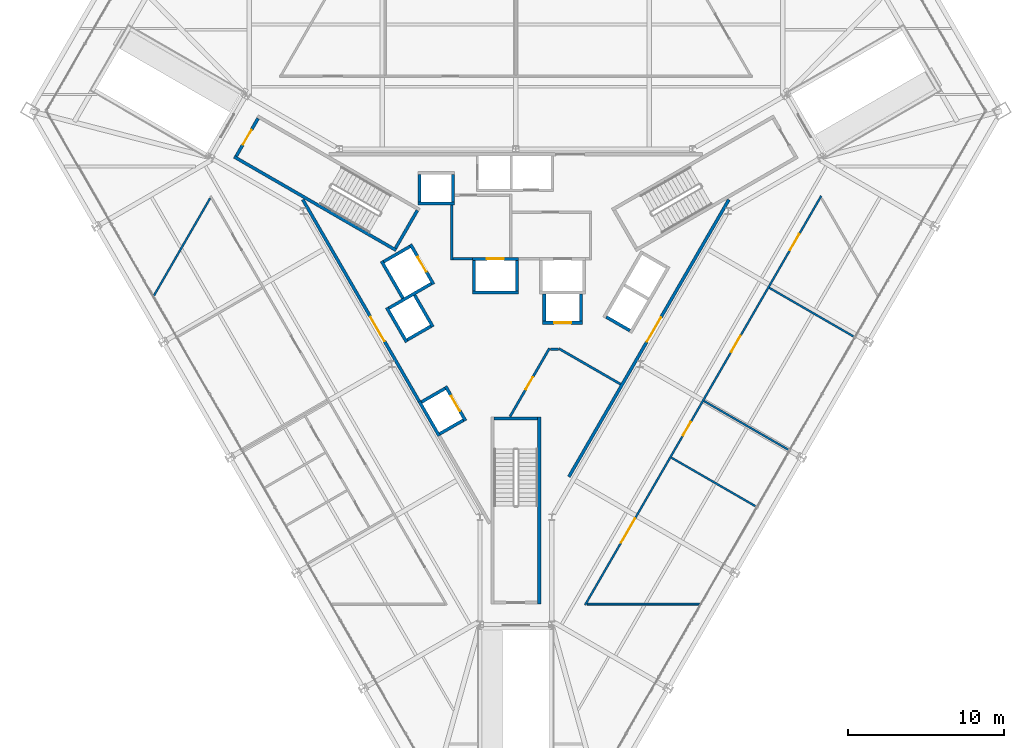
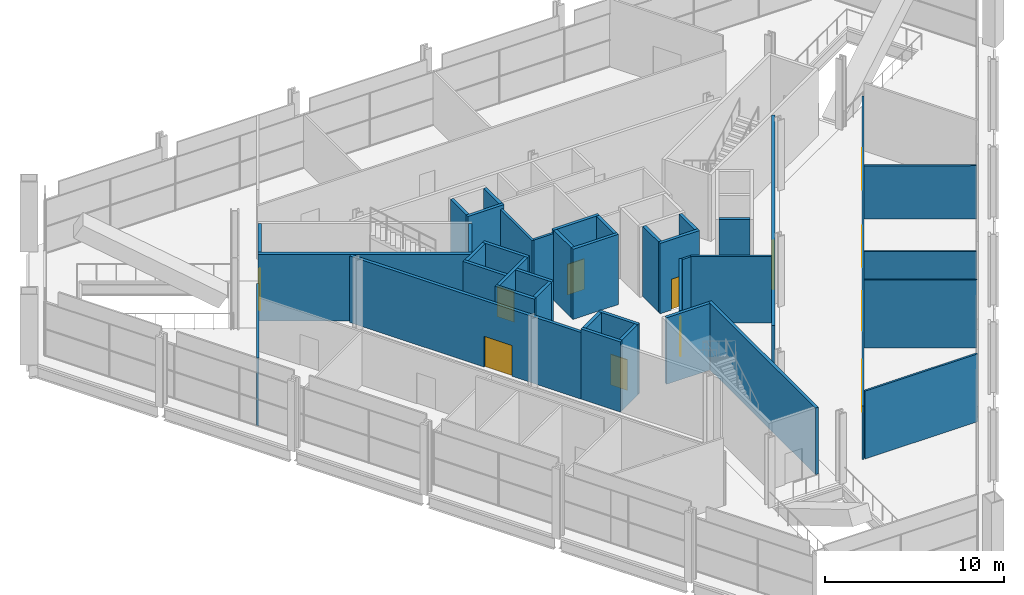
# One storey, part 13 of 18: 40 walls, 12 doors, 12 openings.
"""IFC4 building model written with IfcOpenShell, lengths in metres."""

from ifc_helpers import new_model, si_unit, direction, frame, frame_2d, origin, place, context, subcontext, project, spatial, rectangle, extrude, material, layer, layer_set, type_object, element, fill, save


model = new_model("IFC4")

# Units and contexts
model_context = context("Model", 3, precision=1e-05, world=origin(), true_north=direction((0.0, 1.0)))
body_context = subcontext(model_context, "Body", "Model", "MODEL_VIEW")
ifc_project = project(units=[si_unit("LENGTHUNIT", "METRE"), si_unit("AREAUNIT", "SQUARE_METRE"), si_unit("VOLUMEUNIT", "CUBIC_METRE"), si_unit("PLANEANGLEUNIT", "RADIAN"), si_unit("MASSUNIT", "GRAM", prefix="KILO")], contexts=[model_context])

# Site, building, storey
site_placement = place(None, origin())
site = spatial("IfcSite", under=ifc_project, at=site_placement, CompositionType="ELEMENT")
building_placement = place(site_placement, origin())
building = spatial("IfcBuilding", under=site, at=building_placement, Name="Verrane Prism Tower", CompositionType="ELEMENT")
storey_placement = place(building_placement, frame((0.0, 0.0, 22.39990234375)))
storey = spatial("IfcBuildingStorey", under=building, at=storey_placement, Name="L03", CompositionType="ELEMENT", Elevation=22.39990234375)

# Walls
ifc_material_1 = material(Name="Gypsum board partition", Category="other")
ifc_layer_1 = layer(ifc_material_1, 0.125)
ifc_layer_set_1 = layer_set([ifc_layer_1], Name="BW-125 demising wall 1 h")
wall_type_1 = type_object("IfcWallType", Name="BW-125 demising wall 1 h", PredefinedType="PARTITIONING", material=ifc_layer_set_1)
wall_1_placement = place(storey_placement, frame((9.974365234375, -10.5986328125, 0.0), z_axis=(0.0, 0.0, 1.0), x_axis=(0.866044997331, -0.499966061446, 0.0)))
element("IfcWall", 1, at=wall_1_placement, inside=storey, type_object=wall_type_1, Name="Demising wall 016", PredefinedType="PARTITIONING", context=body_context, shape_type="SweptSolid", body=[
    extrude(rectangle(XDim=6.3330078125, YDim=0.125, at=frame_2d((3.16650390625, 0.0))), origin(), (0.0, 0.0, 1.0), 4.64013671875),
])
wall_2_placement = place(storey_placement, frame((12.066162109375, -6.96630859375, 0.0), z_axis=(0.0, 0.0, 1.0), x_axis=(0.866003371142, -0.500038159714, 0.0)))
element("IfcWall", 2, at=wall_2_placement, inside=storey, type_object=wall_type_1, Name="Demising wall 018", PredefinedType="PARTITIONING", context=body_context, shape_type="SweptSolid", body=[
    extrude(rectangle(XDim=6.3369140625, YDim=0.125, at=frame_2d((3.16845703125, 0.0))), origin(), (0.0, 0.0, 1.0), 3.653076171875),
])
wall_3_placement = place(storey_placement, frame((16.257080078125, 0.292724609375, 0.0), z_axis=(0.0, 0.0, 1.0), x_axis=(0.866118237319, -0.499839173118, 0.0)))
element("IfcWall", 3, at=wall_3_placement, inside=storey, type_object=wall_type_1, Name="Demising wall 019", PredefinedType="PARTITIONING", context=body_context, shape_type="SweptSolid", body=[
    extrude(rectangle(XDim=6.33740234375, YDim=0.125, at=frame_2d((3.168701171875, 0.0))), origin(), (0.0, 0.0, 1.0), 3.653076171875),
])
ifc_material_2 = material(Name="Gypsum board partition", Category="other")
ifc_layer_2 = layer(ifc_material_2, 0.125)
ifc_layer_set_2 = layer_set([ifc_layer_2], Name="BW-125 shopfront wall 1 h")
wall_type_2 = type_object("IfcWallType", Name="BW-125 shopfront wall 1 h", PredefinedType="PARTITIONING", material=ifc_layer_set_2)
wall_4_placement = place(storey_placement, frame((-23.25, -0.27001953125, 0.0), z_axis=(0.0, 0.0, 1.0), x_axis=(0.500002873931, 0.866023744513, 0.0)))
element("IfcWall", 4, at=wall_4_placement, inside=storey, type_object=wall_type_2, Name="Shopfront wall 001", PredefinedType="PARTITIONING", context=body_context, shape_type="SweptSolid", body=[
    extrude(rectangle(XDim=7.28515625, YDim=0.125, at=frame_2d((3.642578125, 0.0))), origin(), (0.0, 0.0, 1.0), 4.64013671875),
])
wall_5_placement = place(storey_placement, frame((4.573974609375, -20.0, 0.0), z_axis=(0.0, 0.0, 1.0), x_axis=(1.0, 0.0, 0.0)))
element("IfcWall", 5, at=wall_5_placement, inside=storey, type_object=wall_type_2, Name="Shopfront wall 014", PredefinedType="PARTITIONING", context=body_context, shape_type="SweptSolid", body=[
    extrude(rectangle(XDim=7.284912109375, YDim=0.125, at=frame_2d((3.642578125, 0.0))), origin(), (0.0, 0.0, 1.0), 4.64013671875),
])

# Wall, openings, doors
wall_6_placement = place(storey_placement, frame((19.586181640625, 6.18408203125, 0.0), z_axis=(0.0, 0.0, 1.0), x_axis=(-0.499994028088, -0.866028851642, 0.0)))
wall_6 = element("IfcWall", 6, at=wall_6_placement, inside=storey, type_object=wall_type_2, Name="Shopfront wall 015", PredefinedType="PARTITIONING", context=body_context, shape_type="SweptSolid", body=[
    extrude(rectangle(XDim=30.297119140625, YDim=0.125, at=frame_2d((15.1484375, 0.0))), origin(), (0.0, 0.0, 1.0), 3.653076171875),
])
opening_1_placement = place(wall_6_placement, frame((23.884765625, 0.0, 0.0)))
opening_1 = element("IfcOpeningElement", 7, at=opening_1_placement, cuts=wall_6, Name="Opening D03011", PredefinedType="OPENING", context=body_context, shape_type="SweptSolid", body=[
    extrude(rectangle(XDim=1.800048828125, YDim=2.39990234375, at=frame_2d((0.89990234375, 1.199951171875))), frame((0.0, 0.072509765625, 0.0), z_axis=(0.0, -1.0, 0.0), x_axis=(1.0, 0.0, 0.0)), (0.0, 0.0, 1.0), 0.14501953125),
])
opening_2_placement = place(wall_6_placement, frame((16.74072265625, 0.0, 0.0)))
opening_2 = element("IfcOpeningElement", 8, at=opening_2_placement, cuts=wall_6, Name="Opening D03012", PredefinedType="OPENING", context=body_context, shape_type="SweptSolid", body=[
    extrude(rectangle(XDim=1.0, YDim=2.10009765625, at=frame_2d((0.5, 1.050048828125))), frame((0.0, 0.072509765625, 0.0), z_axis=(0.0, -1.0, 0.0), x_axis=(1.0, 0.0, 0.0)), (0.0, 0.0, 1.0), 0.14501953125),
])
opening_3_placement = place(wall_6_placement, frame((10.3486328125, 0.0, 0.0)))
opening_3 = element("IfcOpeningElement", 9, at=opening_3_placement, cuts=wall_6, Name="Opening D03013", PredefinedType="OPENING", context=body_context, shape_type="SweptSolid", body=[
    extrude(rectangle(XDim=1.199951171875, YDim=2.10009765625, at=frame_2d((0.60009765625, 1.050048828125))), frame((0.0, 0.072509765625, 0.0), z_axis=(0.0, -1.0, 0.0), x_axis=(1.0, 0.0, 0.0)), (0.0, 0.0, 1.0), 0.14501953125),
])
opening_4_placement = place(wall_6_placement, frame((2.816650390625, 0.0, 0.0)))
opening_4 = element("IfcOpeningElement", 10, at=opening_4_placement, cuts=wall_6, Name="Opening D03014", PredefinedType="OPENING", context=body_context, shape_type="SweptSolid", body=[
    extrude(rectangle(XDim=1.199951171875, YDim=2.10009765625, at=frame_2d((0.60009765625, 1.050048828125))), frame((0.0, 0.072509765625, 0.0), z_axis=(0.0, -1.0, 0.0), x_axis=(1.0, 0.0, 0.0)), (0.0, 0.0, 1.0), 0.14501953125),
])
ifc_material_3 = material(Name="Timber veneered door leaf", Category="wood")
door_type_1 = type_object("IfcDoorType", Name="DR-1000x2100 FD20 single leaf shopfront", OperationType="NOTDEFINED", PredefinedType="DOOR", material=ifc_material_3)
door_1_placement = place(opening_2_placement, origin())
door_1 = element("IfcDoor", 11, at=door_1_placement, inside=storey, type_object=door_type_1, Name="Door Store Room 0308", OperationType="SINGLE_SWING_LEFT", OverallHeight=2.10009765625, OverallWidth=1.0, PredefinedType="DOOR", context=body_context, shape_type="SweptSolid", body=[
    extrude(rectangle(XDim=1.0, YDim=2.10009765625, at=frame_2d((0.5, 1.050048828125))), frame((0.0, 0.02490234375, 0.0), z_axis=(0.0, -1.0, 0.0), x_axis=(1.0, 0.0, 0.0)), (0.0, 0.0, 1.0), 0.050048828125),
])
fill(opening_2, door_1)
ifc_material_4 = material(Name="Timber veneered door leaf", Category="wood")
door_type_2 = type_object("IfcDoorType", Name="DR-1200x2100 FD20 single leaf shopfront", OperationType="NOTDEFINED", PredefinedType="DOOR", material=ifc_material_4)
door_2_placement = place(opening_3_placement, origin())
door_2 = element("IfcDoor", 12, at=door_2_placement, inside=storey, type_object=door_type_2, Name="Door Shop 0309", OperationType="SINGLE_SWING_RIGHT", OverallHeight=2.10009765625, OverallWidth=1.199951171875, PredefinedType="DOOR", context=body_context, shape_type="SweptSolid", body=[
    extrude(rectangle(XDim=1.199951171875, YDim=2.10009765625, at=frame_2d((0.60009765625, 1.050048828125))), frame((0.0, 0.02490234375, 0.0), z_axis=(0.0, -1.0, 0.0), x_axis=(1.0, 0.0, 0.0)), (0.0, 0.0, 1.0), 0.050048828125),
])
fill(opening_3, door_2)
door_3_placement = place(opening_4_placement, origin())
door_3 = element("IfcDoor", 13, at=door_3_placement, inside=storey, type_object=door_type_2, Name="Door Shop 0310", OperationType="SINGLE_SWING_LEFT", OverallHeight=2.10009765625, OverallWidth=1.199951171875, PredefinedType="DOOR", context=body_context, shape_type="SweptSolid", body=[
    extrude(rectangle(XDim=1.199951171875, YDim=2.10009765625, at=frame_2d((0.60009765625, 1.050048828125))), frame((0.0, 0.02490234375, 0.0), z_axis=(0.0, -1.0, 0.0), x_axis=(1.0, 0.0, 0.0)), (0.0, 0.0, 1.0), 0.050048828125),
])
fill(opening_4, door_3)
ifc_material_5 = material(Name="Aluminium and glass door leaf", Category="aluminium")
door_type_3 = type_object("IfcDoorType", Name="DR-1800x2400 FD20 double leaf shopfront", OperationType="NOTDEFINED", PredefinedType="DOOR", material=ifc_material_5)
door_4_placement = place(opening_1_placement, origin())
door_4 = element("IfcDoor", 14, at=door_4_placement, inside=storey, type_object=door_type_3, Name="Door Flagship Store 0307", OperationType="DOUBLE_DOOR_SINGLE_SWING", OverallHeight=2.39990234375, OverallWidth=1.800048828125, PredefinedType="DOOR", context=body_context, shape_type="SweptSolid", body=[
    extrude(rectangle(XDim=1.800048828125, YDim=2.39990234375, at=frame_2d((0.89990234375, 1.199951171875))), frame((0.0, 0.02490234375, 0.0), z_axis=(0.0, -1.0, 0.0), x_axis=(1.0, 0.0, 0.0)), (0.0, 0.0, 1.0), 0.050048828125),
])
fill(opening_1, door_4)

# Wall, opening, door
ifc_material_6 = material(Name="Gypsum board partition", Category="other")
ifc_layer_3 = layer(ifc_material_6, 0.199951171875)
ifc_layer_set_3 = layer_set([ifc_layer_3], Name="CW-200 core boundary wall 2 h")
wall_type_3 = type_object("IfcWallType", Name="CW-200 core boundary wall 2 h", PredefinedType="PARTITIONING", material=ifc_layer_set_3)
wall_7_placement = place(storey_placement, frame((-13.666015625, 5.950439453125, 0.0), z_axis=(0.0, 0.0, 1.0), x_axis=(0.499971736997, -0.866041720822, 0.0)))
wall_7 = element("IfcWall", 15, at=wall_7_placement, inside=storey, type_object=wall_type_3, Name="Core boundary wall CW3-001", PredefinedType="PARTITIONING", context=body_context, shape_type="SweptSolid", body=[
    extrude(rectangle(XDim=14.948974609375, YDim=0.199951171875, at=frame_2d((7.474609375, 0.0))), origin(), (0.0, 0.0, 1.0), 4.550048828125),
])
opening_5_placement = place(wall_7_placement, frame((8.68994140625, 0.0, 0.0)))
opening_5 = element("IfcOpeningElement", 16, at=opening_5_placement, cuts=wall_7, Name="Opening D03508", PredefinedType="OPENING", context=body_context, shape_type="SweptSolid", body=[
    extrude(rectangle(XDim=1.800048828125, YDim=2.10009765625, at=frame_2d((0.89990234375, 1.050048828125))), frame((0.0, 0.10986328125, 0.0), z_axis=(0.0, -1.0, 0.0), x_axis=(1.0, 0.0, 0.0)), (0.0, 0.0, 1.0), 0.219970703125),
])
ifc_material_7 = material(Name="Timber veneered door leaf", Category="wood")
door_type_4 = type_object("IfcDoorType", Name="DR-1800x2100 FD60 double leaf lift lobby", OperationType="NOTDEFINED", PredefinedType="DOOR", material=ifc_material_7)
door_5_placement = place(opening_5_placement, origin())
door_5 = element("IfcDoor", 17, at=door_5_placement, inside=storey, type_object=door_type_4, Name="Lift lobby door D03508", OperationType="DOUBLE_DOOR_SINGLE_SWING", OverallHeight=2.10009765625, OverallWidth=1.800048828125, PredefinedType="DOOR", context=body_context, shape_type="SweptSolid", body=[
    extrude(rectangle(XDim=1.800048828125, YDim=2.10009765625, at=frame_2d((0.89990234375, 1.050048828125))), frame((0.0, 0.02490234375, 0.0), z_axis=(0.0, -1.0, 0.0), x_axis=(1.0, 0.0, 0.0)), (0.0, 0.0, 1.0), 0.050048828125),
])
fill(opening_5, door_5)

wall_8_placement = place(storey_placement, frame((3.403076171875, -11.825927734375, 0.0), z_axis=(0.0, 0.0, 1.0), x_axis=(0.499990831429, 0.866030697196, 0.0)))
wall_8 = element("IfcWall", 18, at=wall_8_placement, inside=storey, type_object=wall_type_3, Name="Core boundary wall CW3-004", PredefinedType="PARTITIONING", context=body_context, shape_type="SweptSolid", body=[
    extrude(rectangle(XDim=20.5263671875, YDim=0.199951171875, at=frame_2d((10.26318359375, 0.0))), origin(), (0.0, 0.0, 1.0), 4.550048828125),
])
opening_6_placement = place(wall_8_placement, frame((10.0, 0.0, 0.0)))
opening_6 = element("IfcOpeningElement", 19, at=opening_6_placement, cuts=wall_8, Name="Opening D03515", PredefinedType="OPENING", context=body_context, shape_type="SweptSolid", body=[
    extrude(rectangle(XDim=1.800048828125, YDim=2.10009765625, at=frame_2d((0.89990234375, 1.050048828125))), frame((0.0, 0.10986328125, 0.0), z_axis=(0.0, -1.0, 0.0), x_axis=(1.0, 0.0, 0.0)), (0.0, 0.0, 1.0), 0.219970703125),
])
door_6_placement = place(opening_6_placement, origin())
door_6 = element("IfcDoor", 20, at=door_6_placement, inside=storey, type_object=door_type_4, Name="Lift lobby door D03515", OperationType="DOUBLE_DOOR_SINGLE_SWING", OverallHeight=2.10009765625, OverallWidth=1.800048828125, PredefinedType="DOOR", context=body_context, shape_type="SweptSolid", body=[
    extrude(rectangle(XDim=1.800048828125, YDim=2.10009765625, at=frame_2d((0.89990234375, 1.050048828125))), frame((0.0, 0.02490234375, 0.0), z_axis=(0.0, -1.0, 0.0), x_axis=(1.0, 0.0, 0.0)), (0.0, 0.0, 1.0), 0.050048828125),
])
fill(opening_6, door_6)

ifc_material_8 = material(Name="Concrete C40/50", Category="concrete")
ifc_layer_4 = layer(ifc_material_8, 0.199951171875)
ifc_layer_set_4 = layer_set([ifc_layer_4], Name="CW-200 stair core wall concrete C40/50 3 h")
wall_type_4 = type_object("IfcWallType", Name="CW-200 stair core wall concrete C40/50 3 h", PredefinedType="PARTITIONING", material=ifc_layer_set_4)
wall_9_placement = place(storey_placement, frame((-16.533935546875, 11.162353515625, 0.0), z_axis=(0.0, 0.0, 1.0), x_axis=(-0.49998411664, -0.866034573852, 0.0)))
wall_9 = element("IfcWall", 21, at=wall_9_placement, inside=storey, type_object=wall_type_4, Name="Stair 2 enclosure wall", PredefinedType="PARTITIONING", context=body_context, shape_type="SweptSolid", body=[
    extrude(rectangle(XDim=2.7998046875, YDim=0.199951171875, at=frame_2d((1.39990234375, 0.0))), origin(), (0.0, 0.0, 1.0), 4.550048828125),
])
opening_7_placement = place(wall_9_placement, frame((0.849853515625, 0.0, 0.0)))
opening_7 = element("IfcOpeningElement", 22, at=opening_7_placement, cuts=wall_9, Name="Opening D03501", PredefinedType="OPENING", context=body_context, shape_type="SweptSolid", body=[
    extrude(rectangle(XDim=1.10009765625, YDim=2.10009765625, at=frame_2d((0.550048828125, 1.050048828125))), frame((0.0, 0.10986328125, 0.0), z_axis=(0.0, -1.0, 0.0), x_axis=(1.0, 0.0, 0.0)), (0.0, 0.0, 1.0), 0.219970703125),
])
ifc_material_9 = material(Name="Timber veneered door leaf", Category="wood")
door_type_5 = type_object("IfcDoorType", Name="DR-1100x2100 FD90 single leaf stair", OperationType="NOTDEFINED", PredefinedType="DOOR", material=ifc_material_9)
door_7_placement = place(opening_7_placement, origin())
door_7 = element("IfcDoor", 23, at=door_7_placement, inside=storey, type_object=door_type_5, Name="Stair 2 door", OperationType="SINGLE_SWING_RIGHT", OverallHeight=2.10009765625, OverallWidth=1.10009765625, PredefinedType="DOOR", context=body_context, shape_type="SweptSolid", body=[
    extrude(rectangle(XDim=1.10009765625, YDim=2.10009765625, at=frame_2d((0.550048828125, 1.050048828125))), frame((0.0, 0.02490234375, 0.0), z_axis=(0.0, -1.0, 0.0), x_axis=(1.0, 0.0, 0.0)), (0.0, 0.0, 1.0), 0.050048828125),
])
fill(opening_7, door_7)

# Walls
wall_10_placement = place(storey_placement, frame((-7.67822265625, 2.700927734375, 0.0), z_axis=(0.0, 0.0, 1.0), x_axis=(-0.866026010844, 0.49999894854, 0.0)))
element("IfcWall", 24, at=wall_10_placement, inside=storey, type_object=wall_type_4, Name="Stair 2 enclosure wall", PredefinedType="PARTITIONING", context=body_context, shape_type="SweptSolid", body=[
    extrude(rectangle(XDim=12.0, YDim=0.199951171875, at=frame_2d((6.0, 0.0))), origin(), (0.0, 0.0, 1.0), 4.550048828125),
])
wall_11_placement = place(storey_placement, frame((-6.314697265625, 5.262451171875, 0.0), z_axis=(0.0, 0.0, 1.0), x_axis=(-0.500049511043, -0.865996816683, 0.0)))
element("IfcWall", 25, at=wall_11_placement, inside=storey, type_object=wall_type_4, Name="Stair 2 enclosure wall", PredefinedType="PARTITIONING", context=body_context, shape_type="SweptSolid", body=[
    extrude(rectangle(XDim=2.800048828125, YDim=0.199951171875, at=frame_2d((1.39990234375, 0.0))), origin(), (0.0, 0.0, 1.0), 4.550048828125),
])
wall_12_placement = place(storey_placement, frame((1.5, -8.0, 0.0), z_axis=(0.0, 0.0, 1.0), x_axis=(0.0, -1.0, 0.0)))
element("IfcWall", 26, at=wall_12_placement, inside=storey, type_object=wall_type_4, Name="Stair 3 enclosure wall", PredefinedType="PARTITIONING", context=body_context, shape_type="SweptSolid", body=[
    extrude(rectangle(XDim=12.0, YDim=0.199951171875, at=frame_2d((6.0, 0.0))), origin(), (0.0, 0.0, 1.0), 4.550048828125),
])
wall_13_placement = place(storey_placement, frame((-1.39990234375, -8.10009765625, 0.0), z_axis=(0.0, 0.0, 1.0), x_axis=(1.0, 0.0, 0.0)))
element("IfcWall", 27, at=wall_13_placement, inside=storey, type_object=wall_type_4, Name="Stair 3 enclosure wall", PredefinedType="PARTITIONING", context=body_context, shape_type="SweptSolid", body=[
    extrude(rectangle(XDim=2.7998046875, YDim=0.199951171875, at=frame_2d((1.39990234375, 0.0))), origin(), (0.0, 0.0, 1.0), 4.550048828125),
])

# Wall, opening, door
ifc_material_10 = material(Name="Gypsum board shaft wall assembly", Category="other")
ifc_layer_5 = layer(ifc_material_10, 0.199951171875)
ifc_layer_set_5 = layer_set([ifc_layer_5], Name="HW-200 lift shaft wall 2 h")
wall_type_5 = type_object("IfcWallType", Name="HW-200 lift shaft wall 2 h", PredefinedType="PARTITIONING", material=ifc_layer_set_5)
wall_14_placement = place(storey_placement, frame((1.72509765625, -1.949951171875, 0.0), z_axis=(0.0, 0.0, 1.0), x_axis=(1.0, 0.0, 0.0)))
wall_14 = element("IfcWall", 28, at=wall_14_placement, inside=storey, type_object=wall_type_5, Name="Lift shaft wall", PredefinedType="PARTITIONING", context=body_context, shape_type="SweptSolid", body=[
    extrude(rectangle(XDim=2.5498046875, YDim=0.199951171875, at=frame_2d((1.27490234375, 0.0))), origin(), (0.0, 0.0, 1.0), 4.800048828125),
])
opening_8_placement = place(wall_14_placement, frame((0.72509765625, 0.0, 0.0)))
opening_8 = element("IfcOpeningElement", 29, at=opening_8_placement, cuts=wall_14, Name="Opening D03507", PredefinedType="OPENING", context=body_context, shape_type="SweptSolid", body=[
    extrude(rectangle(XDim=1.10009765625, YDim=2.10009765625, at=frame_2d((0.550048828125, 1.050048828125))), frame((0.0, 0.10986328125, 0.0), z_axis=(0.0, -1.0, 0.0), x_axis=(1.0, 0.0, 0.0)), (0.0, 0.0, 1.0), 0.219970703125),
])
ifc_material_11 = material(Name="Stainless steel sliding landing door", Category="steel")
door_type_6 = type_object("IfcDoorType", Name="LD-1100x2100 lift landing door FD90 sliding", OperationType="NOTDEFINED", PredefinedType="DOOR", material=ifc_material_11)
door_8_placement = place(opening_8_placement, origin())
door_8 = element("IfcDoor", 30, at=door_8_placement, inside=storey, type_object=door_type_6, Name="Retail lift 2 landing door", OperationType="SLIDING_TO_RIGHT", OverallHeight=2.10009765625, OverallWidth=1.10009765625, PredefinedType="DOOR", context=body_context, shape_type="SweptSolid", body=[
    extrude(rectangle(XDim=1.10009765625, YDim=2.10009765625, at=frame_2d((0.550048828125, 1.050048828125))), frame((0.0, 0.02490234375, 0.0), z_axis=(0.0, -1.0, 0.0), x_axis=(1.0, 0.0, 0.0)), (0.0, 0.0, 1.0), 0.050048828125),
])
fill(opening_8, door_8)

# Wall
wall_15_placement = place(storey_placement, frame((-2.784912109375, 0.0, 0.0), z_axis=(0.0, 0.0, 1.0), x_axis=(1.0, 0.0, 0.0)))
element("IfcWall", 31, at=wall_15_placement, inside=storey, type_object=wall_type_5, Name="Lift shaft wall", PredefinedType="PARTITIONING", context=body_context, shape_type="SweptSolid", body=[
    extrude(rectangle(XDim=2.949951171875, YDim=0.199951171875, at=frame_2d((1.47509765625, 0.0))), origin(), (0.0, 0.0, 1.0), 4.800048828125),
])

# Wall, opening, door
wall_16_placement = place(storey_placement, frame((-2.784912109375, 2.14990234375, 0.0), z_axis=(0.0, 0.0, 1.0), x_axis=(1.0, 0.0, 0.0)))
wall_16 = element("IfcWall", 32, at=wall_16_placement, inside=storey, type_object=wall_type_5, Name="Lift shaft wall", PredefinedType="PARTITIONING", context=body_context, shape_type="SweptSolid", body=[
    extrude(rectangle(XDim=2.949951171875, YDim=0.199951171875, at=frame_2d((1.47509765625, 0.0))), origin(), (0.0, 0.0, 1.0), 4.800048828125),
])
opening_9_placement = place(wall_16_placement, frame((0.925048828125, 0.0, 0.0)))
opening_9 = element("IfcOpeningElement", 33, at=opening_9_placement, cuts=wall_16, Name="Opening D03503", PredefinedType="OPENING", context=body_context, shape_type="SweptSolid", body=[
    extrude(rectangle(XDim=1.10009765625, YDim=2.10009765625, at=frame_2d((0.550048828125, 1.050048828125))), frame((0.0, 0.10986328125, 0.0), z_axis=(0.0, -1.0, 0.0), x_axis=(1.0, 0.0, 0.0)), (0.0, 0.0, 1.0), 0.219970703125),
])
door_9_placement = place(opening_9_placement, origin())
door_9 = element("IfcDoor", 34, at=door_9_placement, inside=storey, type_object=door_type_6, Name="Fire service lift 1 landing door", OperationType="SLIDING_TO_LEFT", OverallHeight=2.10009765625, OverallWidth=1.10009765625, PredefinedType="DOOR", context=body_context, shape_type="SweptSolid", body=[
    extrude(rectangle(XDim=1.10009765625, YDim=2.10009765625, at=frame_2d((0.550048828125, 1.050048828125))), frame((0.0, 0.02490234375, 0.0), z_axis=(0.0, -1.0, 0.0), x_axis=(1.0, 0.0, 0.0)), (0.0, 0.0, 1.0), 0.050048828125),
])
fill(opening_9, door_9)

# Walls
wall_17_placement = place(storey_placement, frame((-6.284912109375, 5.7099609375, 0.0), z_axis=(0.0, 0.0, 1.0), x_axis=(1.0, 0.0, 0.0)))
element("IfcWall", 35, at=wall_17_placement, inside=storey, type_object=wall_type_5, Name="Lift shaft wall", PredefinedType="PARTITIONING", context=body_context, shape_type="SweptSolid", body=[
    extrude(rectangle(XDim=2.349853515625, YDim=0.199951171875, at=frame_2d((1.1748046875, 0.0))), origin(), (0.0, 0.0, 1.0), 4.800048828125),
])
for number, where, z_axis, x_axis, name in (
    (36, (-4.87890625, -9.069580078125, 0.0), (0.0, 0.0, 1.0), (0.866036909293, 0.499980071345, 0.0), "Lift shaft wall"),
    (37, (-6.053955078125, -7.034423828125, 0.0), (0.0, 0.0, 1.0), (0.866036909293, 0.499980071345, 0.0), "Lift shaft wall"),
    (38, (-6.9697265625, -3.048095703125, 0.0), (0.0, 0.0, 1.0), (0.866036909293, 0.499980071345, 0.0), "Lift shaft wall"),
):
    element("IfcWall", number, at=place(storey_placement, frame(where, z_axis=z_axis, x_axis=x_axis)), inside=storey, type_object=wall_type_5, Name=name, PredefinedType="PARTITIONING", context=body_context, shape_type="SweptSolid", body=[
        extrude(rectangle(XDim=1.75, YDim=0.199951171875, at=frame_2d((0.875, 0.0))), origin(), (0.0, 0.0, 1.0), 4.800048828125),
    ])
wall_18_placement = place(storey_placement, frame((-8.14453125, -1.012939453125, 0.0), z_axis=(0.0, 0.0, 1.0), x_axis=(0.866016494683, 0.500015430699, 0.0)))
element("IfcWall", 39, at=wall_18_placement, inside=storey, type_object=wall_type_5, Name="Lift shaft wall", PredefinedType="PARTITIONING", context=body_context, shape_type="SweptSolid", body=[
    extrude(rectangle(XDim=3.14990234375, YDim=0.199951171875, at=frame_2d((1.574951171875, 0.0))), origin(), (0.0, 0.0, 1.0), 4.800048828125),
])
wall_19_placement = place(storey_placement, frame((-8.48046875, 1.968505859375, 0.0), z_axis=(0.0, 0.0, 1.0), x_axis=(0.866000020948, 0.500043961785, 0.0)))
element("IfcWall", 40, at=wall_19_placement, inside=storey, type_object=wall_type_5, Name="Lift shaft wall", PredefinedType="PARTITIONING", context=body_context, shape_type="SweptSolid", body=[
    extrude(rectangle(XDim=1.949951171875, YDim=0.199951171875, at=frame_2d((0.97509765625, 0.0))), origin(), (0.0, 0.0, 1.0), 4.800048828125),
])
for number, where, z_axis, x_axis, name in (
    (41, (4.175048828125, -1.85009765625, 0.0), (0.0, 0.0, 1.0), (0.0, 1.0, 0.0), "Lift shaft wall"),
    (42, (1.824951171875, -1.85009765625, 0.0), (0.0, 0.0, 1.0), (0.0, 1.0, 0.0), "Lift shaft wall"),
):
    element("IfcWall", number, at=place(storey_placement, frame(where, z_axis=z_axis, x_axis=x_axis)), inside=storey, type_object=wall_type_5, Name=name, PredefinedType="PARTITIONING", context=body_context, shape_type="SweptSolid", body=[
        extrude(rectangle(XDim=1.75, YDim=0.199951171875, at=frame_2d((0.875, 0.0))), origin(), (0.0, 0.0, 1.0), 4.800048828125),
    ])
for number, where, z_axis, x_axis, name in (
    (43, (0.06494140625, 0.10009765625, 0.0), (0.0, 0.0, 1.0), (0.0, 1.0, 0.0), "Lift shaft wall"),
    (44, (-2.68505859375, 0.10009765625, 0.0), (0.0, 0.0, 1.0), (0.0, 1.0, 0.0), "Lift shaft wall"),
):
    element("IfcWall", number, at=place(storey_placement, frame(where, z_axis=z_axis, x_axis=x_axis)), inside=storey, type_object=wall_type_5, Name=name, PredefinedType="PARTITIONING", context=body_context, shape_type="SweptSolid", body=[
        extrude(rectangle(XDim=1.949951171875, YDim=0.199951171875, at=frame_2d((0.97509765625, 0.0))), origin(), (0.0, 0.0, 1.0), 4.800048828125),
    ])
for number, where, z_axis, x_axis, name in (
    (45, (-4.034912109375, 5.81005859375, 0.0), (0.0, 0.0, 1.0), (0.0, 1.0, 0.0), "Lift shaft wall"),
    (46, (-6.18505859375, 5.81005859375, 0.0), (0.0, 0.0, 1.0), (0.0, 1.0, 0.0), "Lift shaft wall"),
):
    element("IfcWall", number, at=place(storey_placement, frame(where, z_axis=z_axis, x_axis=x_axis)), inside=storey, type_object=wall_type_5, Name=name, PredefinedType="PARTITIONING", context=body_context, shape_type="SweptSolid", body=[
        extrude(rectangle(XDim=1.75, YDim=0.199951171875, at=frame_2d((0.875, 0.0))), origin(), (0.0, 0.0, 1.0), 4.800048828125),
    ])

# Wall, opening, door
wall_20_placement = place(storey_placement, frame((-5.280029296875, 0.525390625, 0.0), z_axis=(0.0, 0.0, 1.0), x_axis=(-0.500037662692, 0.866003658127, 0.0)))
wall_20 = element("IfcWall", 47, at=wall_20_placement, inside=storey, type_object=wall_type_5, Name="Lift shaft wall", PredefinedType="PARTITIONING", context=body_context, shape_type="SweptSolid", body=[
    extrude(rectangle(XDim=2.949951171875, YDim=0.199951171875, at=frame_2d((1.47509765625, 0.0))), origin(), (0.0, 0.0, 1.0), 4.800048828125),
])
opening_10_placement = place(wall_20_placement, frame((0.925048828125, 0.0, 0.0)))
opening_10 = element("IfcOpeningElement", 48, at=opening_10_placement, cuts=wall_20, Name="Opening D03505", PredefinedType="OPENING", context=body_context, shape_type="SweptSolid", body=[
    extrude(rectangle(XDim=1.10009765625, YDim=2.10009765625, at=frame_2d((0.550048828125, 1.050048828125))), frame((0.0, 0.10986328125, 0.0), z_axis=(0.0, -1.0, 0.0), x_axis=(1.0, 0.0, 0.0)), (0.0, 0.0, 1.0), 0.219970703125),
])
door_10_placement = place(opening_10_placement, origin())
door_10 = element("IfcDoor", 49, at=door_10_placement, inside=storey, type_object=door_type_6, Name="Service lift 1 landing door", OperationType="SLIDING_TO_LEFT", OverallHeight=2.10009765625, OverallWidth=1.10009765625, PredefinedType="DOOR", context=body_context, shape_type="SweptSolid", body=[
    extrude(rectangle(XDim=1.10009765625, YDim=2.10009765625, at=frame_2d((0.550048828125, 1.050048828125))), frame((0.0, 0.02490234375, 0.0), z_axis=(0.0, -1.0, 0.0), x_axis=(1.0, 0.0, 0.0)), (0.0, 0.0, 1.0), 0.050048828125),
])
fill(opening_10, door_10)

# Walls
wall_21_placement = place(storey_placement, frame((-5.317626953125, -2.209716796875, 0.0), z_axis=(0.0, 0.0, 1.0), x_axis=(-0.499938297808, 0.866061024631, 0.0)))
element("IfcWall", 50, at=wall_21_placement, inside=storey, type_object=wall_type_5, Name="Lift shaft wall", PredefinedType="PARTITIONING", context=body_context, shape_type="SweptSolid", body=[
    extrude(rectangle(XDim=2.349853515625, YDim=0.199951171875, at=frame_2d((1.1748046875, 0.0))), origin(), (0.0, 0.0, 1.0), 4.800048828125),
])
wall_22_placement = place(storey_placement, frame((-7.241943359375, -0.37646484375, 0.0), z_axis=(0.0, 0.0, 1.0), x_axis=(-0.499996545922, 0.866027397988, 0.0)))
element("IfcWall", 51, at=wall_22_placement, inside=storey, type_object=wall_type_5, Name="Lift shaft wall", PredefinedType="PARTITIONING", context=body_context, shape_type="SweptSolid", body=[
    extrude(rectangle(XDim=2.75, YDim=0.199951171875, at=frame_2d((1.375, 0.0))), origin(), (0.0, 0.0, 1.0), 4.800048828125),
])

# Wall, opening, door
wall_23_placement = place(storey_placement, frame((-3.226806640625, -8.231201171875, 0.0), z_axis=(0.0, 0.0, 1.0), x_axis=(-0.499948979701, 0.866054858364, 0.0)))
wall_23 = element("IfcWall", 52, at=wall_23_placement, inside=storey, type_object=wall_type_5, Name="Lift shaft wall", PredefinedType="PARTITIONING", context=body_context, shape_type="SweptSolid", body=[
    extrude(rectangle(XDim=2.550048828125, YDim=0.199951171875, at=frame_2d((1.27490234375, 0.0))), origin(), (0.0, 0.0, 1.0), 4.800048828125),
])
opening_11_placement = place(wall_23_placement, frame((0.72509765625, 0.0, 0.0)))
opening_11 = element("IfcOpeningElement", 53, at=opening_11_placement, cuts=wall_23, Name="Opening D03506", PredefinedType="OPENING", context=body_context, shape_type="SweptSolid", body=[
    extrude(rectangle(XDim=1.10009765625, YDim=2.10009765625, at=frame_2d((0.550048828125, 1.050048828125))), frame((0.0, 0.10986328125, 0.0), z_axis=(0.0, -1.0, 0.0), x_axis=(1.0, 0.0, 0.0)), (0.0, 0.0, 1.0), 0.219970703125),
])
door_11_placement = place(opening_11_placement, origin())
door_11 = element("IfcDoor", 54, at=door_11_placement, inside=storey, type_object=door_type_6, Name="Retail lift 1 landing door", OperationType="SLIDING_TO_LEFT", OverallHeight=2.10009765625, OverallWidth=1.10009765625, PredefinedType="DOOR", context=body_context, shape_type="SweptSolid", body=[
    extrude(rectangle(XDim=1.10009765625, YDim=2.10009765625, at=frame_2d((0.550048828125, 1.050048828125))), frame((0.0, 0.02490234375, 0.0), z_axis=(0.0, -1.0, 0.0), x_axis=(1.0, 0.0, 0.0)), (0.0, 0.0, 1.0), 0.050048828125),
])
fill(opening_11, door_11)

# Walls
for number, where, z_axis, x_axis, name in (
    (55, (-7.00634765625, -3.184814453125, 0.0), (0.0, 0.0, 1.0), (-0.499990435942, 0.866030925526, 0.0), "Lift shaft wall"),
    (56, (-4.91552734375, -9.2060546875, 0.0), (0.0, 0.0, 1.0), (-0.499990435942, 0.866030925526, 0.0), "Lift shaft wall"),
):
    element("IfcWall", number, at=place(storey_placement, frame(where, z_axis=z_axis, x_axis=x_axis)), inside=storey, type_object=wall_type_5, Name=name, PredefinedType="PARTITIONING", context=body_context, shape_type="SweptSolid", body=[
        extrude(rectangle(XDim=2.5498046875, YDim=0.199951171875, at=frame_2d((1.27490234375, 0.0))), origin(), (0.0, 0.0, 1.0), 4.800048828125),
    ])
wall_24_placement = place(storey_placement, frame((7.314697265625, -2.45068359375, 0.0), z_axis=(0.0, 0.0, 1.0), x_axis=(-0.866036909293, 0.499980071345, 0.0)))
element("IfcWall", 57, at=wall_24_placement, inside=storey, type_object=wall_type_5, Name="Lift shaft wall", PredefinedType="PARTITIONING", context=body_context, shape_type="SweptSolid", body=[
    extrude(rectangle(XDim=1.75, YDim=0.199951171875, at=frame_2d((0.875, 0.0))), origin(), (0.0, 0.0, 1.0), 4.800048828125),
])
ifc_material_12 = material(Name="Gypsum board partition", Category="other")
ifc_layer_6 = layer(ifc_material_12, 0.14990234375)
ifc_layer_set_6 = layer_set([ifc_layer_6], Name="LF-150 firefighting lobby wall 1 h")
wall_type_6 = type_object("IfcWallType", Name="LF-150 firefighting lobby wall 1 h", PredefinedType="PARTITIONING", material=ifc_layer_set_6)
wall_25_placement = place(storey_placement, frame((-4.10009765625, 2.0849609375, 0.0), z_axis=(0.0, 0.0, 1.0), x_axis=(0.0, 1.0, 0.0)))
element("IfcWall", 58, at=wall_25_placement, inside=storey, type_object=wall_type_6, Name="Firefighting lobby wall LF1-001", PredefinedType="PARTITIONING", context=body_context, shape_type="SweptSolid", body=[
    extrude(rectangle(XDim=3.52294921875, YDim=0.14990234375, at=frame_2d((1.761474609375, 0.0))), origin(), (0.0, 0.0, 1.0), 4.550048828125),
])
wall_26_placement = place(storey_placement, frame((-4.02490234375, 2.159912109375, 0.0), z_axis=(0.0, 0.0, 1.0), x_axis=(1.0, 0.0, 0.0)))
element("IfcWall", 59, at=wall_26_placement, inside=storey, type_object=wall_type_6, Name="Firefighting lobby wall LF1-002", PredefinedType="PARTITIONING", context=body_context, shape_type="SweptSolid", body=[
    extrude(rectangle(XDim=1.23779296875, YDim=0.14990234375, at=frame_2d((0.618896484375, 0.0))), origin(), (0.0, 0.0, 1.0), 4.550048828125),
])

# Wall, opening, door
ifc_material_13 = material(Name="Gypsum board partition", Category="other")
ifc_layer_7 = layer(ifc_material_13, 0.14990234375)
ifc_layer_set_7 = layer_set([ifc_layer_7], Name="RS-150 riser enclosure wall 1 h")
wall_type_7 = type_object("IfcWallType", Name="RS-150 riser enclosure wall 1 h", PredefinedType="PARTITIONING", material=ifc_layer_set_7)
wall_27_placement = place(storey_placement, frame((2.156494140625, -3.5849609375, 0.0), z_axis=(0.0, 0.0, 1.0), x_axis=(-0.500064700545, -0.865988045685, 0.0)))
wall_27 = element("IfcWall", 60, at=wall_27_placement, inside=storey, type_object=wall_type_7, Name="Riser wall RS3-003", PredefinedType="PARTITIONING", context=body_context, shape_type="SweptSolid", body=[
    extrude(rectangle(XDim=5.063232421875, YDim=0.14990234375, at=frame_2d((2.53173828125, 0.0))), origin(), (0.0, 0.0, 1.0), 4.550048828125),
])
opening_12_placement = place(wall_27_placement, frame((2.148193359375, 0.0, 0.0)))
opening_12 = element("IfcOpeningElement", 61, at=opening_12_placement, cuts=wall_27, Name="Opening D03513", PredefinedType="OPENING", context=body_context, shape_type="SweptSolid", body=[
    extrude(rectangle(XDim=0.89990234375, YDim=2.10009765625, at=frame_2d((0.449951171875, 1.050048828125))), frame((0.0, 0.0849609375, 0.0), z_axis=(0.0, -1.0, 0.0), x_axis=(1.0, 0.0, 0.0)), (0.0, 0.0, 1.0), 0.169921875),
])
ifc_material_14 = material(Name="Timber veneered door leaf", Category="wood")
door_type_7 = type_object("IfcDoorType", Name="DR-900x2100 FD60 single leaf store", OperationType="NOTDEFINED", PredefinedType="DOOR", material=ifc_material_14)
door_12_placement = place(opening_12_placement, origin())
door_12 = element("IfcDoor", 62, at=door_12_placement, inside=storey, type_object=door_type_7, Name="Room door D03513", OperationType="SINGLE_SWING_LEFT", OverallHeight=2.10009765625, OverallWidth=0.89990234375, PredefinedType="DOOR", context=body_context, shape_type="SweptSolid", body=[
    extrude(rectangle(XDim=0.89990234375, YDim=2.10009765625, at=frame_2d((0.449951171875, 1.050048828125))), frame((0.0, 0.02490234375, 0.0), z_axis=(0.0, -1.0, 0.0), x_axis=(1.0, 0.0, 0.0)), (0.0, 0.0, 1.0), 0.050048828125),
])
fill(opening_12, door_12)

# Walls
wall_28_placement = place(storey_placement, frame((2.218994140625, -3.64990234375, 0.0), z_axis=(0.0, 0.0, 1.0), x_axis=(1.0, 0.0, 0.0)))
element("IfcWall", 63, at=wall_28_placement, inside=storey, type_object=wall_type_7, Name="Riser wall RS3-005", PredefinedType="PARTITIONING", context=body_context, shape_type="SweptSolid", body=[
    extrude(rectangle(XDim=0.52294921875, YDim=0.14990234375, at=frame_2d((0.261474609375, 0.0))), origin(), (0.0, 0.0, 1.0), 4.550048828125),
])
wall_29_placement = place(storey_placement, frame((2.777099609375, -3.612548828125, 0.0), z_axis=(0.0, 0.0, 1.0), x_axis=(0.866014865915, -0.500018251681, 0.0)))
element("IfcWall", 64, at=wall_29_placement, inside=storey, type_object=wall_type_7, Name="Riser wall RS3-007", PredefinedType="PARTITIONING", context=body_context, shape_type="SweptSolid", body=[
    extrude(rectangle(XDim=4.548583984375, YDim=0.14990234375, at=frame_2d((2.2744140625, 0.0))), origin(), (0.0, 0.0, 1.0), 4.550048828125),
])

save(model, "model.ifc")
